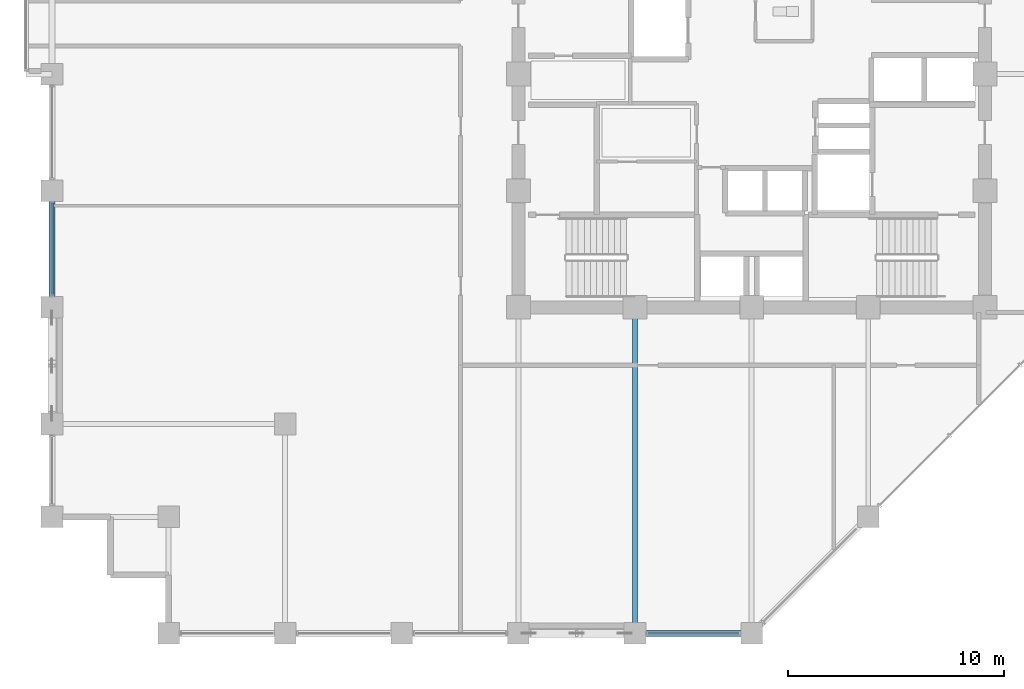
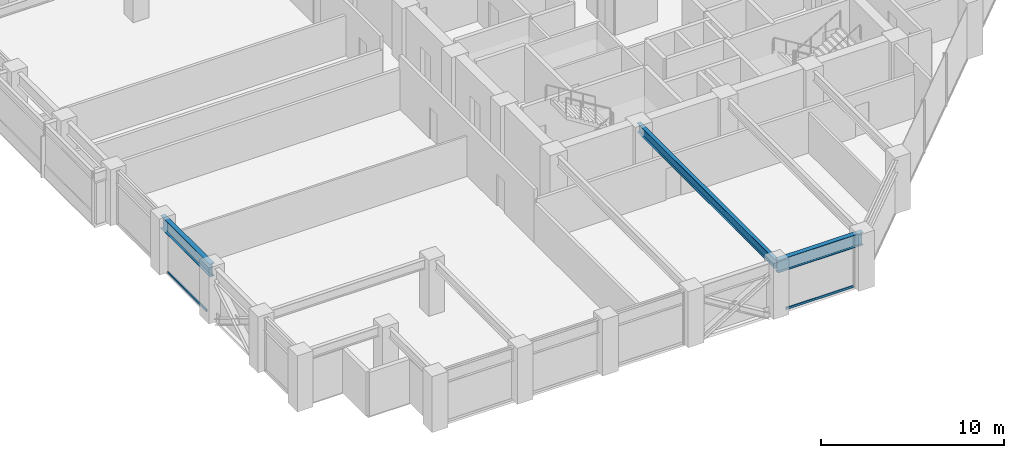
# One storey, part 5 of 26: 3 beams, 2 members, 2 elements without a shape of their own.
"""IFC4 building model written with IfcOpenShell, lengths in metres."""

from ifc_helpers import new_model, si_unit, direction, frame, origin, origin_2d, place, context, subcontext, project, spatial, hollow_rectangle, i_section, extrude, material, layer, layer_set, material_profile, profile_set, type_object, element, aggregate, save


model = new_model("IFC4")

# Units and contexts
model_context = context("Model", 3, precision=1e-05, world=origin(), true_north=direction((0.0, 1.0)))
body_context = subcontext(model_context, "Body", "Model", "MODEL_VIEW")
ifc_project = project(units=[si_unit("LENGTHUNIT", "METRE"), si_unit("AREAUNIT", "SQUARE_METRE"), si_unit("VOLUMEUNIT", "CUBIC_METRE"), si_unit("PLANEANGLEUNIT", "RADIAN"), si_unit("MASSUNIT", "GRAM", prefix="KILO")], contexts=[model_context])

# Site, building, storey
site_placement = place(None, origin())
site = spatial("IfcSite", under=ifc_project, at=site_placement, CompositionType="ELEMENT")
building_placement = place(site_placement, origin())
building = spatial("IfcBuilding", under=site, at=building_placement, Name="Surkhivell Harbour Commons", CompositionType="ELEMENT")
storey_placement = place(building_placement, frame((0.0, 0.0, 143.25)))
storey = spatial("IfcBuildingStorey", under=building, at=storey_placement, Name="L37", CompositionType="ELEMENT", Elevation=143.25)

# Beams
ifc_material_1 = material(Name="Steel S355", Category="steel")
ifc_material_profile_1 = material_profile(ifc_material_1, i_section(OverallWidth=0.22998046875, OverallDepth=0.616943359375, WebThickness=0.01318359375, FlangeThickness=0.022216796875, at=origin_2d()), Name="UB610x229x140")
ifc_profile_set_1 = profile_set([ifc_material_profile_1], Name="Steel S355")
beam_type_1 = type_object("IfcBeamType", Name="BM-GRD-610B", PredefinedType="BEAM", material=ifc_profile_set_1)
beam_1_placement = place(storey_placement, frame((-5.39990234375, -25.89990234375, 3.261474609375), z_axis=(0.0, 1.0, 0.0), x_axis=(-1.0, 0.0, 0.0)))
element("IfcBeam", 1, at=beam_1_placement, inside=storey, type_object=beam_type_1, Name="L37 Floor Girder (-5.4,-25.9)", PredefinedType="BEAM", context=body_context, shape_type="SweptSolid", body=[
    extrude(i_section(OverallWidth=0.22998046875, OverallDepth=0.616943359375, WebThickness=0.01318359375, FlangeThickness=0.022216796875, at=origin_2d()), origin(), (0.0, 0.0, 1.0), 15.099853515625),
])
ifc_material_2 = material(Name="Steel S460", Category="steel")
ifc_material_profile_2 = material_profile(ifc_material_2, i_section(OverallWidth=0.2939453125, OverallDepth=0.85107421875, WebThickness=0.01611328125, FlangeThickness=0.02685546875, at=origin_2d()), Name="UB838x292x226")
ifc_profile_set_2 = profile_set([ifc_material_profile_2], Name="Steel S460")
beam_type_2 = type_object("IfcBeamType", Name="BM-SPN-838", PredefinedType="SPANDREL", material=ifc_profile_set_2)
beam_2_placement = place(storey_placement, frame((-32.39990234375, -10.800048828125, 3.14453125), z_axis=(0.0, 1.0, 0.0), x_axis=(-1.0, 0.0, 0.0)))
element("IfcBeam", 2, at=beam_2_placement, inside=storey, type_object=beam_type_2, Name="L37 Tube Spandrel (-32.4,-10.8)", PredefinedType="SPANDREL", context=body_context, shape_type="SweptSolid", body=[
    extrude(i_section(OverallWidth=0.2939453125, OverallDepth=0.85107421875, WebThickness=0.01611328125, FlangeThickness=0.02685546875, at=origin_2d()), origin(), (0.0, 0.0, 1.0), 5.400146484375),
])
beam_3_placement = place(storey_placement, frame((-5.39990234375, -25.89990234375, 3.14453125), z_axis=(1.0, 0.0, 0.0), x_axis=(0.0, 1.0, 0.0)))
element("IfcBeam", 3, at=beam_3_placement, inside=storey, type_object=beam_type_2, Name="L37 Tube Spandrel (-5.4,-25.9)", PredefinedType="SPANDREL", context=body_context, shape_type="SweptSolid", body=[
    extrude(i_section(OverallWidth=0.2939453125, OverallDepth=0.85107421875, WebThickness=0.01611328125, FlangeThickness=0.02685546875, at=origin_2d()), origin(), (0.0, 0.0, 1.0), 5.39990234375),
])

# Curtain wall, member
ifc_material_3 = material(Name="Anodised pale-metal aluminium and insulated glazing", Category="aluminium")
ifc_layer = layer(ifc_material_3, 0.205078125)
ifc_layer_set = layer_set([ifc_layer], Name="Anodised pale-metal aluminium and insulated glazing")
curtain_wall_type = type_object("IfcCurtainWallType", Name="CW-SYS-Z2", PredefinedType="NOTDEFINED", material=ifc_layer_set)
curtain_wall_1_placement = place(storey_placement, origin())
curtain_wall_1 = element("IfcCurtainWall", 4, at=curtain_wall_1_placement, inside=storey, type_object=curtain_wall_type, Name="L37 Curtain Wall CW-L37-E00S2", PredefinedType="NOTDEFINED")
ifc_material_4 = material(Name="Anodised pale-metal aluminium alloy 6063-T6", Category="aluminium")
ifc_material_profile_3 = material_profile(ifc_material_4, hollow_rectangle(XDim=0.074951171875, YDim=0.14990234375, WallThickness=0.00341796875, at=origin_2d()), Name="ALU-TRAN-75x150")
ifc_profile_set_3 = profile_set([ifc_material_profile_3], Name="Anodised pale-metal aluminium alloy 6063-T6")
member_type = type_object("IfcMemberType", Name="CWT-150", PredefinedType="USERDEFINED", material=ifc_profile_set_3)
member_1_placement = place(storey_placement, frame((-4.822998046875, -25.89990234375, 0.074951171875), z_axis=(1.0, 0.0, 0.0), x_axis=(0.0, 1.0, 0.0)))
member_1 = element("IfcMember", 5, at=member_1_placement, type_object=member_type, Name="CW-Z2 transom 1.1", ObjectType="TRANSOM", PredefinedType="USERDEFINED", context=body_context, shape_type="SweptSolid", body=[
    extrude(hollow_rectangle(XDim=0.074951171875, YDim=0.14990234375, WallThickness=0.00341796875, at=origin_2d()), origin(), (0.0, 0.0, 1.0), 4.24609375),
])
aggregate(curtain_wall_1, [member_1])

curtain_wall_2_placement = place(storey_placement, origin())
curtain_wall_2 = element("IfcCurtainWall", 6, at=curtain_wall_2_placement, inside=storey, type_object=curtain_wall_type, Name="L37 Curtain Wall CW-L37-E12R1S2", PredefinedType="NOTDEFINED")
member_2_placement = place(storey_placement, frame((-32.39990234375, -10.222900390625, 0.074951171875), z_axis=(0.0, 1.0, 0.0), x_axis=(-1.0, 0.0, 0.0)))
member_2 = element("IfcMember", 7, at=member_2_placement, type_object=member_type, Name="CW-Z2 transom 1.1", ObjectType="TRANSOM", PredefinedType="USERDEFINED", context=body_context, shape_type="SweptSolid", body=[
    extrude(hollow_rectangle(XDim=0.074951171875, YDim=0.14990234375, WallThickness=0.00341796875, at=origin_2d()), origin(), (0.0, 0.0, 1.0), 4.245849609375),
])
aggregate(curtain_wall_2, [member_2])

save(model, "model.ifc")
